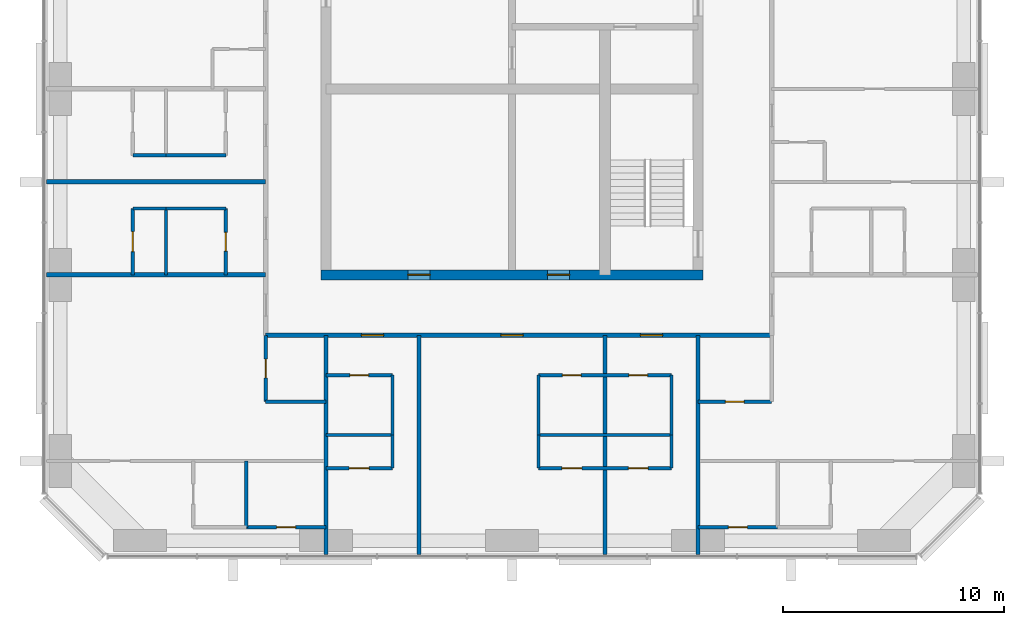
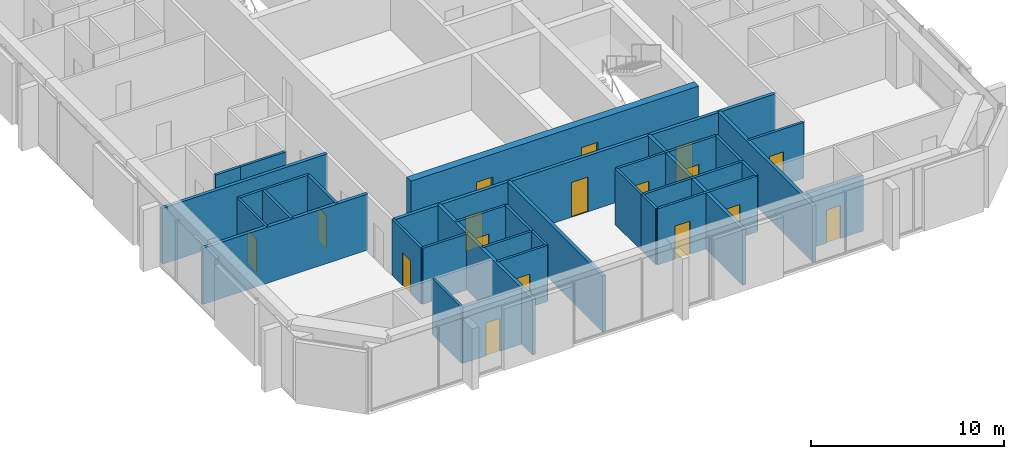
# One storey, part 7 of 12: 33 walls, 17 doors, 17 openings.
"""IFC4 building model written with IfcOpenShell, lengths in metres."""

from ifc_helpers import new_model, si_unit, direction, frame, frame_2d, origin, place, context, subcontext, project, spatial, rectangle, extrude, material, layer, layer_set, type_object, element, fill, save


model = new_model("IFC4")

# Units and contexts
model_context = context("Model", 3, precision=1e-05, world=origin(), true_north=direction((0.0, 1.0)))
body_context = subcontext(model_context, "Body", "Model", "MODEL_VIEW")
ifc_project = project(units=[si_unit("LENGTHUNIT", "METRE"), si_unit("AREAUNIT", "SQUARE_METRE"), si_unit("VOLUMEUNIT", "CUBIC_METRE"), si_unit("PLANEANGLEUNIT", "RADIAN"), si_unit("MASSUNIT", "GRAM", prefix="KILO")], contexts=[model_context])

# Site, building, storey
site_placement = place(None, origin())
site = spatial("IfcSite", under=ifc_project, at=site_placement, CompositionType="ELEMENT")
building_placement = place(site_placement, origin())
building = spatial("IfcBuilding", under=site, at=building_placement, Name="Dunama Terrace Hotel", CompositionType="ELEMENT")
storey_placement = place(building_placement, frame((0.0, 0.0, 268.5)))
storey = spatial("IfcBuildingStorey", under=building, at=storey_placement, Name="L69", CompositionType="ELEMENT", Elevation=268.5)

# Wall, opening, door
ifc_material_1 = material(Name="Gypsum board partition", Category="masonry")
ifc_layer_1 = layer(ifc_material_1, 0.14990234375)
ifc_layer_set_1 = layer_set([ifc_layer_1], Name="Bathroom partition 150")
wall_type_1 = type_object("IfcWallType", Name="Bathroom partition 150", PredefinedType="PARTITIONING", material=ifc_layer_set_1)
wall_1_placement = place(storey_placement, frame((20.675048828125, 16.800048828125, 0.0), z_axis=(0.0, 0.0, 1.0), x_axis=(0.0, 1.0, 0.0)))
wall_1 = element("IfcWall", 1, at=wall_1_placement, inside=storey, type_object=wall_type_1, Name="Bathroom partition 150 L69", PredefinedType="PARTITIONING", context=body_context, shape_type="SweptSolid", body=[
    extrude(rectangle(XDim=3.0, YDim=0.14990234375, at=frame_2d((1.5, 0.0))), origin(), (0.0, 0.0, 1.0), 3.550048828125),
])
opening_1_placement = place(wall_1_placement, frame((1.074951171875, 0.0, 0.0)))
opening_1 = element("IfcOpeningElement", 2, at=opening_1_placement, cuts=wall_1, Name="Opening L68-70-038", PredefinedType="OPENING", context=body_context, shape_type="SweptSolid", body=[
    extrude(rectangle(XDim=0.85009765625, YDim=2.10009765625, at=frame_2d((0.425048828125, 1.050048828125))), frame((0.0, 0.0849609375, 0.0), z_axis=(0.0, -1.0, 0.0), x_axis=(1.0, 0.0, 0.0)), (0.0, 0.0, 1.0), 0.169921875),
])
ifc_material_2 = material(Name="Timber door with steel frame", Category="steel")
door_type_1 = type_object("IfcDoorType", Name="Bathroom door 850", OperationType="SINGLE_SWING_LEFT", PredefinedType="DOOR", material=ifc_material_2)
door_1_placement = place(opening_1_placement, origin())
door_1 = element("IfcDoor", 3, at=door_1_placement, inside=storey, type_object=door_type_1, Name="Door to en-suite bathroom L68-70-038, type D2", OperationType="SINGLE_SWING_LEFT", OverallHeight=2.10009765625, OverallWidth=0.85009765625, PredefinedType="DOOR", context=body_context, shape_type="SweptSolid", body=[
    extrude(rectangle(XDim=0.85009765625, YDim=2.10009765625, at=frame_2d((0.425048828125, 1.050048828125))), frame((0.0, 0.02490234375, 0.0), z_axis=(0.0, -1.0, 0.0), x_axis=(1.0, 0.0, 0.0)), (0.0, 0.0, 1.0), 0.050048828125),
])
fill(opening_1, door_1)

wall_2_placement = place(storey_placement, frame((22.47509765625, 11.074951171875, 0.0), z_axis=(0.0, 0.0, 1.0), x_axis=(0.0, 1.0, 0.0)))
wall_2 = element("IfcWall", 4, at=wall_2_placement, inside=storey, type_object=wall_type_1, Name="Bathroom partition 150 L69", PredefinedType="PARTITIONING", context=body_context, shape_type="SweptSolid", body=[
    extrude(rectangle(XDim=3.0, YDim=0.14990234375, at=frame_2d((1.5, 0.0))), origin(), (0.0, 0.0, 1.0), 3.550048828125),
])
opening_2_placement = place(wall_2_placement, frame((1.074951171875, 0.0, 0.0)))
opening_2 = element("IfcOpeningElement", 5, at=opening_2_placement, cuts=wall_2, Name="Opening L68-70-053", PredefinedType="OPENING", context=body_context, shape_type="SweptSolid", body=[
    extrude(rectangle(XDim=0.85009765625, YDim=2.10009765625, at=frame_2d((0.425048828125, 1.050048828125))), frame((0.0, 0.0849609375, 0.0), z_axis=(0.0, -1.0, 0.0), x_axis=(1.0, 0.0, 0.0)), (0.0, 0.0, 1.0), 0.169921875),
])
door_2_placement = place(opening_2_placement, frame((0.85009765625, 0.0, 0.0), z_axis=(0.0, 0.0, 1.0), x_axis=(-1.0, 0.0, 0.0)))
door_2 = element("IfcDoor", 6, at=door_2_placement, inside=storey, type_object=door_type_1, Name="Door to powder room L68-70-053, type D2", OperationType="SINGLE_SWING_LEFT", OverallHeight=2.10009765625, OverallWidth=0.85009765625, PredefinedType="DOOR", context=body_context, shape_type="SweptSolid", body=[
    extrude(rectangle(XDim=0.85009765625, YDim=2.10009765625, at=frame_2d((0.425048828125, 1.050048828125))), frame((0.0, 0.025146484375, 0.0), z_axis=(0.0, -1.0, 0.0), x_axis=(1.0, 0.0, 0.0)), (0.0, 0.0, 1.0), 0.050048828125),
])
fill(opening_2, door_2)

# Walls
for number, where, z_axis, x_axis, name in (
    (7, (28.199951171875, 9.574951171875, 0.0), (0.0, 0.0, 1.0), (0.0, 1.0, 0.0), "Bathroom partition 150 L69"),
    (8, (34.800048828125, 9.574951171875, 0.0), (0.0, 0.0, 1.0), (0.0, 1.0, 0.0), "Bathroom partition 150 L69"),
    (9, (40.800048828125, 9.574951171875, 0.0), (0.0, 0.0, 1.0), (0.0, 1.0, 0.0), "Bathroom partition 150 L69"),
):
    element("IfcWall", number, at=place(storey_placement, frame(where, z_axis=z_axis, x_axis=x_axis)), inside=storey, type_object=wall_type_1, Name=name, PredefinedType="PARTITIONING", context=body_context, shape_type="SweptSolid", body=[
        extrude(rectangle(XDim=2.699951171875, YDim=0.14990234375, at=frame_2d((1.35009765625, 0.0))), origin(), (0.0, 0.0, 1.0), 3.550048828125),
    ])

# Wall, opening, door
wall_3_placement = place(storey_placement, frame((21.60009765625, 5.39990234375, 0.0), z_axis=(0.0, 0.0, 1.0), x_axis=(1.0, 0.0, 0.0)))
wall_3 = element("IfcWall", 10, at=wall_3_placement, inside=storey, type_object=wall_type_1, Name="Bathroom partition 150 L69", PredefinedType="PARTITIONING", context=body_context, shape_type="SweptSolid", body=[
    extrude(rectangle(XDim=3.599853515625, YDim=0.14990234375, at=frame_2d((1.7998046875, 0.0))), origin(), (0.0, 0.0, 1.0), 3.550048828125),
])
opening_3_placement = place(wall_3_placement, frame((1.375, 0.0, 0.0)))
opening_3 = element("IfcOpeningElement", 11, at=opening_3_placement, cuts=wall_3, Name="Opening L68-70-055", PredefinedType="OPENING", context=body_context, shape_type="SweptSolid", body=[
    extrude(rectangle(XDim=0.85009765625, YDim=2.10009765625, at=frame_2d((0.425048828125, 1.050048828125))), frame((0.0, 0.0849609375, 0.0), z_axis=(0.0, -1.0, 0.0), x_axis=(1.0, 0.0, 0.0)), (0.0, 0.0, 1.0), 0.169921875),
])
door_3_placement = place(opening_3_placement, origin())
door_3 = element("IfcDoor", 12, at=door_3_placement, inside=storey, type_object=door_type_1, Name="Door to en-suite bathroom L68-70-055, type D2", OperationType="SINGLE_SWING_RIGHT", OverallHeight=2.10009765625, OverallWidth=0.85009765625, PredefinedType="DOOR", context=body_context, shape_type="SweptSolid", body=[
    extrude(rectangle(XDim=0.85009765625, YDim=2.10009765625, at=frame_2d((0.425048828125, 1.050048828125))), frame((0.0, 0.02490234375, 0.0), z_axis=(0.0, -1.0, 0.0), x_axis=(1.0, 0.0, 0.0)), (0.0, 0.0, 1.0), 0.050048828125),
])
fill(opening_3, door_3)

wall_4_placement = place(storey_placement, frame((42.0, 5.39990234375, 0.0), z_axis=(0.0, 0.0, 1.0), x_axis=(1.0, 0.0, 0.0)))
wall_4 = element("IfcWall", 13, at=wall_4_placement, inside=storey, type_object=wall_type_1, Name="Bathroom partition 150 L69", PredefinedType="PARTITIONING", context=body_context, shape_type="SweptSolid", body=[
    extrude(rectangle(XDim=3.60009765625, YDim=0.14990234375, at=frame_2d((1.800048828125, 0.0))), origin(), (0.0, 0.0, 1.0), 3.550048828125),
])
opening_4_placement = place(wall_4_placement, frame((1.375, 0.0, 0.0)))
opening_4 = element("IfcOpeningElement", 14, at=opening_4_placement, cuts=wall_4, Name="Opening L68-70-060", PredefinedType="OPENING", context=body_context, shape_type="SweptSolid", body=[
    extrude(rectangle(XDim=0.85009765625, YDim=2.10009765625, at=frame_2d((0.425048828125, 1.050048828125))), frame((0.0, 0.0849609375, 0.0), z_axis=(0.0, -1.0, 0.0), x_axis=(1.0, 0.0, 0.0)), (0.0, 0.0, 1.0), 0.169921875),
])
door_4_placement = place(opening_4_placement, origin())
door_4 = element("IfcDoor", 15, at=door_4_placement, inside=storey, type_object=door_type_1, Name="Door to en-suite bathroom L68-70-060, type D2", OperationType="SINGLE_SWING_LEFT", OverallHeight=2.10009765625, OverallWidth=0.85009765625, PredefinedType="DOOR", context=body_context, shape_type="SweptSolid", body=[
    extrude(rectangle(XDim=0.85009765625, YDim=2.10009765625, at=frame_2d((0.425048828125, 1.050048828125))), frame((0.0, 0.02490234375, 0.0), z_axis=(0.0, -1.0, 0.0), x_axis=(1.0, 0.0, 0.0)), (0.0, 0.0, 1.0), 0.050048828125),
])
fill(opening_4, door_4)

# Wall
wall_5_placement = place(storey_placement, frame((22.47509765625, 11.074951171875, 0.0), z_axis=(0.0, 0.0, 1.0), x_axis=(1.0, 0.0, 0.0)))
element("IfcWall", 16, at=wall_5_placement, inside=storey, type_object=wall_type_1, Name="Bathroom partition 150 L69", PredefinedType="PARTITIONING", context=body_context, shape_type="SweptSolid", body=[
    extrude(rectangle(XDim=2.724853515625, YDim=0.14990234375, at=frame_2d((1.3623046875, 0.0))), origin(), (0.0, 0.0, 1.0), 3.550048828125),
])

# Wall, opening, door
wall_6_placement = place(storey_placement, frame((42.0, 11.074951171875, 0.0), z_axis=(0.0, 0.0, 1.0), x_axis=(1.0, 0.0, 0.0)))
wall_6 = element("IfcWall", 17, at=wall_6_placement, inside=storey, type_object=wall_type_1, Name="Bathroom partition 150 L69", PredefinedType="PARTITIONING", context=body_context, shape_type="SweptSolid", body=[
    extrude(rectangle(XDim=3.324951171875, YDim=0.14990234375, at=frame_2d((1.66259765625, 0.0))), origin(), (0.0, 0.0, 1.0), 3.550048828125),
])
opening_5_placement = place(wall_6_placement, frame((1.238037109375, 0.0, 0.0)))
opening_5 = element("IfcOpeningElement", 18, at=opening_5_placement, cuts=wall_6, Name="Opening L68-70-058", PredefinedType="OPENING", context=body_context, shape_type="SweptSolid", body=[
    extrude(rectangle(XDim=0.85009765625, YDim=2.10009765625, at=frame_2d((0.425048828125, 1.050048828125))), frame((0.0, 0.0849609375, 0.0), z_axis=(0.0, -1.0, 0.0), x_axis=(1.0, 0.0, 0.0)), (0.0, 0.0, 1.0), 0.169921875),
])
door_5_placement = place(opening_5_placement, origin())
door_5 = element("IfcDoor", 19, at=door_5_placement, inside=storey, type_object=door_type_1, Name="Door to powder room L68-70-058, type D2", OperationType="SINGLE_SWING_LEFT", OverallHeight=2.10009765625, OverallWidth=0.85009765625, PredefinedType="DOOR", context=body_context, shape_type="SweptSolid", body=[
    extrude(rectangle(XDim=0.85009765625, YDim=2.10009765625, at=frame_2d((0.425048828125, 1.050048828125))), frame((0.0, 0.02490234375, 0.0), z_axis=(0.0, -1.0, 0.0), x_axis=(1.0, 0.0, 0.0)), (0.0, 0.0, 1.0), 0.050048828125),
])
fill(opening_5, door_5)

wall_7_placement = place(storey_placement, frame((25.199951171875, 12.27490234375, 0.0), z_axis=(0.0, 0.0, 1.0), x_axis=(1.0, 0.0, 0.0)))
wall_7 = element("IfcWall", 20, at=wall_7_placement, inside=storey, type_object=wall_type_1, Name="Bathroom partition 150 L69", PredefinedType="PARTITIONING", context=body_context, shape_type="SweptSolid", body=[
    extrude(rectangle(XDim=3.0, YDim=0.14990234375, at=frame_2d((1.5, 0.0))), origin(), (0.0, 0.0, 1.0), 3.550048828125),
])
opening_6_placement = place(wall_7_placement, frame((1.074951171875, 0.0, 0.0)))
opening_6 = element("IfcOpeningElement", 21, at=opening_6_placement, cuts=wall_7, Name="Opening L68-70-008", PredefinedType="OPENING", context=body_context, shape_type="SweptSolid", body=[
    extrude(rectangle(XDim=0.85009765625, YDim=2.10009765625, at=frame_2d((0.425048828125, 1.050048828125))), frame((0.0, 0.0849609375, 0.0), z_axis=(0.0, -1.0, 0.0), x_axis=(1.0, 0.0, 0.0)), (0.0, 0.0, 1.0), 0.169921875),
])
door_6_placement = place(opening_6_placement, frame((0.85009765625, 0.0, 0.0), z_axis=(0.0, 0.0, 1.0), x_axis=(-1.0, 0.0, 0.0)))
door_6 = element("IfcDoor", 22, at=door_6_placement, inside=storey, type_object=door_type_1, Name="Door to en-suite bathroom L68-70-008, type D2", OperationType="SINGLE_SWING_RIGHT", OverallHeight=2.10009765625, OverallWidth=0.85009765625, PredefinedType="DOOR", context=body_context, shape_type="SweptSolid", body=[
    extrude(rectangle(XDim=0.85009765625, YDim=2.10009765625, at=frame_2d((0.425048828125, 1.050048828125))), frame((0.0, 0.025146484375, 0.0), z_axis=(0.0, -1.0, 0.0), x_axis=(1.0, 0.0, 0.0)), (0.0, 0.0, 1.0), 0.050048828125),
])
fill(opening_6, door_6)

# Wall, openings, doors
wall_8_placement = place(storey_placement, frame((34.800048828125, 12.27490234375, 0.0), z_axis=(0.0, 0.0, 1.0), x_axis=(1.0, 0.0, 0.0)))
wall_8 = element("IfcWall", 23, at=wall_8_placement, inside=storey, type_object=wall_type_1, Name="Bathroom partition 150 L69", PredefinedType="PARTITIONING", context=body_context, shape_type="SweptSolid", body=[
    extrude(rectangle(XDim=6.0, YDim=0.14990234375, at=frame_2d((3.0, 0.0))), origin(), (0.0, 0.0, 1.0), 3.550048828125),
])
opening_7_placement = place(wall_8_placement, frame((1.074951171875, 0.0, 0.0)))
opening_7 = element("IfcOpeningElement", 24, at=opening_7_placement, cuts=wall_8, Name="Opening L68-70-011", PredefinedType="OPENING", context=body_context, shape_type="SweptSolid", body=[
    extrude(rectangle(XDim=0.85009765625, YDim=2.10009765625, at=frame_2d((0.425048828125, 1.050048828125))), frame((0.0, 0.0849609375, 0.0), z_axis=(0.0, -1.0, 0.0), x_axis=(1.0, 0.0, 0.0)), (0.0, 0.0, 1.0), 0.169921875),
])
opening_8_placement = place(wall_8_placement, frame((4.074951171875, 0.0, 0.0)))
opening_8 = element("IfcOpeningElement", 25, at=opening_8_placement, cuts=wall_8, Name="Opening L68-70-014", PredefinedType="OPENING", context=body_context, shape_type="SweptSolid", body=[
    extrude(rectangle(XDim=0.85009765625, YDim=2.10009765625, at=frame_2d((0.425048828125, 1.050048828125))), frame((0.0, 0.0849609375, 0.0), z_axis=(0.0, -1.0, 0.0), x_axis=(1.0, 0.0, 0.0)), (0.0, 0.0, 1.0), 0.169921875),
])
door_7_placement = place(opening_7_placement, frame((0.85009765625, 0.0, 0.0), z_axis=(0.0, 0.0, 1.0), x_axis=(-1.0, 0.0, 0.0)))
door_7 = element("IfcDoor", 26, at=door_7_placement, inside=storey, type_object=door_type_1, Name="Door to en-suite bathroom L68-70-011, type D2", OperationType="SINGLE_SWING_LEFT", OverallHeight=2.10009765625, OverallWidth=0.85009765625, PredefinedType="DOOR", context=body_context, shape_type="SweptSolid", body=[
    extrude(rectangle(XDim=0.85009765625, YDim=2.10009765625, at=frame_2d((0.425048828125, 1.050048828125))), frame((0.0, 0.025146484375, 0.0), z_axis=(0.0, -1.0, 0.0), x_axis=(1.0, 0.0, 0.0)), (0.0, 0.0, 1.0), 0.050048828125),
])
fill(opening_7, door_7)
door_8_placement = place(opening_8_placement, frame((0.85009765625, 0.0, 0.0), z_axis=(0.0, 0.0, 1.0), x_axis=(-1.0, 0.0, 0.0)))
door_8 = element("IfcDoor", 27, at=door_8_placement, inside=storey, type_object=door_type_1, Name="Door to en-suite bathroom L68-70-014, type D2", OperationType="SINGLE_SWING_RIGHT", OverallHeight=2.10009765625, OverallWidth=0.85009765625, PredefinedType="DOOR", context=body_context, shape_type="SweptSolid", body=[
    extrude(rectangle(XDim=0.85009765625, YDim=2.10009765625, at=frame_2d((0.425048828125, 1.050048828125))), frame((0.0, 0.025146484375, 0.0), z_axis=(0.0, -1.0, 0.0), x_axis=(1.0, 0.0, 0.0)), (0.0, 0.0, 1.0), 0.050048828125),
])
fill(opening_8, door_8)

# Walls
for number, where, z_axis, x_axis, name in (
    (28, (17.97509765625, 19.800048828125, 0.0), (0.0, 0.0, 1.0), (1.0, 0.0, 0.0), "Bathroom partition 150 L69"),
    (29, (17.97509765625, 22.199951171875, 0.0), (0.0, 0.0, 1.0), (1.0, 0.0, 0.0), "Bathroom partition 150 L69"),
):
    element("IfcWall", number, at=place(storey_placement, frame(where, z_axis=z_axis, x_axis=x_axis)), inside=storey, type_object=wall_type_1, Name=name, PredefinedType="PARTITIONING", context=body_context, shape_type="SweptSolid", body=[
        extrude(rectangle(XDim=2.699951171875, YDim=0.14990234375, at=frame_2d((1.35009765625, 0.0))), origin(), (0.0, 0.0, 1.0), 3.550048828125),
    ])

# Wall, openings, doors
ifc_material_3 = material(Name="Concrete C50/60", Category="concrete")
ifc_layer_2 = layer(ifc_material_3, 0.449951171875)
ifc_layer_set_2 = layer_set([ifc_layer_2], Name="Core wall 450")
wall_type_2 = type_object("IfcWallType", Name="Core wall 450", PredefinedType="SHEAR", material=ifc_layer_set_2)
wall_9_placement = place(storey_placement, frame((24.97509765625, 16.800048828125, -0.35009765625), z_axis=(0.0, 0.0, 1.0), x_axis=(1.0, 0.0, 0.0)))
wall_9 = element("IfcWall", 30, at=wall_9_placement, inside=storey, type_object=wall_type_2, Name="Core wall south L69", PredefinedType="SHEAR", context=body_context, shape_type="SweptSolid", body=[
    extrude(rectangle(XDim=17.25, YDim=0.449951171875, at=frame_2d((8.625, 0.0))), origin(), (0.0, 0.0, 1.0), 3.900146484375),
])
opening_9_placement = place(wall_9_placement, frame((3.925048828125, 0.0, 0.35009765625)))
opening_9 = element("IfcOpeningElement", 31, at=opening_9_placement, cuts=wall_9, Name="Opening L68-70-078", PredefinedType="OPENING", context=body_context, shape_type="SweptSolid", body=[
    extrude(rectangle(XDim=1.0, YDim=2.10009765625, at=frame_2d((0.5, 1.050048828125))), frame((0.0, 0.23486328125, 0.0), z_axis=(0.0, -1.0, 0.0), x_axis=(1.0, 0.0, 0.0)), (0.0, 0.0, 1.0), 0.469970703125),
])
opening_10_placement = place(wall_9_placement, frame((10.22509765625, 0.0, 0.35009765625)))
opening_10 = element("IfcOpeningElement", 32, at=opening_10_placement, cuts=wall_9, Name="Opening L68-70-079", PredefinedType="OPENING", context=body_context, shape_type="SweptSolid", body=[
    extrude(rectangle(XDim=1.0, YDim=2.10009765625, at=frame_2d((0.5, 1.050048828125))), frame((0.0, 0.23486328125, 0.0), z_axis=(0.0, -1.0, 0.0), x_axis=(1.0, 0.0, 0.0)), (0.0, 0.0, 1.0), 0.469970703125),
])
ifc_material_4 = material(Name="Timber door with steel frame", Category="steel")
door_type_2 = type_object("IfcDoorType", Name="Service door 1000", OperationType="SINGLE_SWING_LEFT", PredefinedType="DOOR", material=ifc_material_4)
door_9_placement = place(opening_9_placement, origin())
door_9 = element("IfcDoor", 33, at=door_9_placement, inside=storey, type_object=door_type_2, Name="Door to corridor air handling room L68-70-078, type D7", OperationType="SINGLE_SWING_LEFT", OverallHeight=2.10009765625, OverallWidth=1.0, PredefinedType="DOOR", context=body_context, shape_type="SweptSolid", body=[
    extrude(rectangle(XDim=1.0, YDim=2.10009765625, at=frame_2d((0.5, 1.050048828125))), frame((0.0, 0.02490234375, 0.0), z_axis=(0.0, -1.0, 0.0), x_axis=(1.0, 0.0, 0.0)), (0.0, 0.0, 1.0), 0.050048828125),
])
fill(opening_9, door_9)
door_10_placement = place(opening_10_placement, origin())
door_10 = element("IfcDoor", 34, at=door_10_placement, inside=storey, type_object=door_type_2, Name="Door to water riser room L68-70-079, type D7", OperationType="SINGLE_SWING_RIGHT", OverallHeight=2.10009765625, OverallWidth=1.0, PredefinedType="DOOR", context=body_context, shape_type="SweptSolid", body=[
    extrude(rectangle(XDim=1.0, YDim=2.10009765625, at=frame_2d((0.5, 1.050048828125))), frame((0.0, 0.02490234375, 0.0), z_axis=(0.0, -1.0, 0.0), x_axis=(1.0, 0.0, 0.0)), (0.0, 0.0, 1.0), 0.050048828125),
])
fill(opening_10, door_10)

ifc_material_5 = material(Name="Concrete blockwork", Category="masonry")
ifc_layer_3 = layer(ifc_material_5, 0.199951171875)
ifc_layer_set_3 = layer_set([ifc_layer_3], Name="Corridor partition 200")
wall_type_3 = type_object("IfcWallType", Name="Corridor partition 200", PredefinedType="PARTITIONING", material=ifc_layer_set_3)
wall_10_placement = place(storey_placement, frame((45.324951171875, 14.074951171875, 0.0), z_axis=(0.0, 0.0, 1.0), x_axis=(-1.0, 0.0, 0.0)))
wall_10 = element("IfcWall", 35, at=wall_10_placement, inside=storey, type_object=wall_type_3, Name="Corridor partition 200 L69", PredefinedType="PARTITIONING", context=body_context, shape_type="SweptSolid", body=[
    extrude(rectangle(XDim=22.849853515625, YDim=0.199951171875, at=frame_2d((11.4248046875, 0.0))), origin(), (0.0, 0.0, 1.0), 3.550048828125),
])
opening_11_placement = place(wall_10_placement, frame((17.52490234375, 0.0, 0.0)))
opening_11 = element("IfcOpeningElement", 36, at=opening_11_placement, cuts=wall_10, Name="Opening L68-70-007", PredefinedType="OPENING", context=body_context, shape_type="SweptSolid", body=[
    extrude(rectangle(XDim=1.0, YDim=2.199951171875, at=frame_2d((0.5, 1.10009765625))), frame((0.0, 0.10986328125, 0.0), z_axis=(0.0, -1.0, 0.0), x_axis=(1.0, 0.0, 0.0)), (0.0, 0.0, 1.0), 0.219970703125),
])
opening_12_placement = place(wall_10_placement, frame((11.22509765625, 0.0, 0.0)))
opening_12 = element("IfcOpeningElement", 37, at=opening_12_placement, cuts=wall_10, Name="Opening L68-70-010", PredefinedType="OPENING", context=body_context, shape_type="SweptSolid", body=[
    extrude(rectangle(XDim=1.0, YDim=2.199951171875, at=frame_2d((0.5, 1.10009765625))), frame((0.0, 0.10986328125, 0.0), z_axis=(0.0, -1.0, 0.0), x_axis=(1.0, 0.0, 0.0)), (0.0, 0.0, 1.0), 0.219970703125),
])
opening_13_placement = place(wall_10_placement, frame((4.925048828125, 0.0, 0.0)))
opening_13 = element("IfcOpeningElement", 38, at=opening_13_placement, cuts=wall_10, Name="Opening L68-70-013", PredefinedType="OPENING", context=body_context, shape_type="SweptSolid", body=[
    extrude(rectangle(XDim=1.0, YDim=2.199951171875, at=frame_2d((0.5, 1.10009765625))), frame((0.0, 0.10986328125, 0.0), z_axis=(0.0, -1.0, 0.0), x_axis=(1.0, 0.0, 0.0)), (0.0, 0.0, 1.0), 0.219970703125),
])
ifc_material_6 = material(Name="Timber door with steel frame", Category="steel")
door_type_3 = type_object("IfcDoorType", Name="Guest room door 1000", OperationType="SINGLE_SWING_LEFT", PredefinedType="DOOR", material=ifc_material_6)
door_11_placement = place(opening_11_placement, origin())
door_11 = element("IfcDoor", 39, at=door_11_placement, inside=storey, type_object=door_type_3, Name="Door to studio suite L68-70-007, type D1", OperationType="SINGLE_SWING_LEFT", OverallHeight=2.199951171875, OverallWidth=1.0, PredefinedType="DOOR", context=body_context, shape_type="SweptSolid", body=[
    extrude(rectangle(XDim=1.0, YDim=2.199951171875, at=frame_2d((0.5, 1.10009765625))), frame((0.0, 0.02490234375, 0.0), z_axis=(0.0, -1.0, 0.0), x_axis=(1.0, 0.0, 0.0)), (0.0, 0.0, 1.0), 0.050048828125),
])
fill(opening_11, door_11)
door_12_placement = place(opening_12_placement, origin())
door_12 = element("IfcDoor", 40, at=door_12_placement, inside=storey, type_object=door_type_3, Name="Door to junior suite L68-70-010, type D1", OperationType="SINGLE_SWING_LEFT", OverallHeight=2.199951171875, OverallWidth=1.0, PredefinedType="DOOR", context=body_context, shape_type="SweptSolid", body=[
    extrude(rectangle(XDim=1.0, YDim=2.199951171875, at=frame_2d((0.5, 1.10009765625))), frame((0.0, 0.02490234375, 0.0), z_axis=(0.0, -1.0, 0.0), x_axis=(1.0, 0.0, 0.0)), (0.0, 0.0, 1.0), 0.050048828125),
])
fill(opening_12, door_12)
door_13_placement = place(opening_13_placement, origin())
door_13 = element("IfcDoor", 41, at=door_13_placement, inside=storey, type_object=door_type_3, Name="Door to studio suite L68-70-013, type D1", OperationType="SINGLE_SWING_LEFT", OverallHeight=2.199951171875, OverallWidth=1.0, PredefinedType="DOOR", context=body_context, shape_type="SweptSolid", body=[
    extrude(rectangle(XDim=1.0, YDim=2.199951171875, at=frame_2d((0.5, 1.10009765625))), frame((0.0, 0.02490234375, 0.0), z_axis=(0.0, -1.0, 0.0), x_axis=(1.0, 0.0, 0.0)), (0.0, 0.0, 1.0), 0.050048828125),
])
fill(opening_13, door_13)

# Walls
ifc_material_7 = material(Name="Concrete blockwork", Category="masonry")
ifc_layer_4 = layer(ifc_material_7, 0.199951171875)
ifc_layer_set_4 = layer_set([ifc_layer_4], Name="Party wall 200")
wall_type_4 = type_object("IfcWallType", Name="Party wall 200", PredefinedType="PARTITIONING", material=ifc_layer_set_4)
for number, where, z_axis, x_axis, name in (
    (42, (25.199951171875, 4.181884765625, 0.0), (0.0, 0.0, 1.0), (0.0, 1.0, 0.0), "Party wall 200 L69"),
    (43, (29.39990234375, 4.181884765625, 0.0), (0.0, 0.0, 1.0), (0.0, 1.0, 0.0), "Party wall 200 L69"),
    (44, (37.800048828125, 4.181884765625, 0.0), (0.0, 0.0, 1.0), (0.0, 1.0, 0.0), "Party wall 200 L69"),
    (45, (42.0, 4.181884765625, 0.0), (0.0, 0.0, 1.0), (0.0, 1.0, 0.0), "Party wall 200 L69"),
    (46, (12.58203125, 16.800048828125, 0.0), (0.0, 0.0, 1.0), (1.0, 0.0, 0.0), "Party wall 200 L69"),
    (47, (12.58203125, 21.0, 0.0), (0.0, 0.0, 1.0), (1.0, 0.0, 0.0), "Party wall 200 L69"),
):
    element("IfcWall", number, at=place(storey_placement, frame(where, z_axis=z_axis, x_axis=x_axis)), inside=storey, type_object=wall_type_4, Name=name, PredefinedType="PARTITIONING", context=body_context, shape_type="SweptSolid", body=[
        extrude(rectangle(XDim=9.89306640625, YDim=0.199951171875, at=frame_2d((4.946533203125, 0.0))), origin(), (0.0, 0.0, 1.0), 3.550048828125),
    ])

# Wall, opening, door
ifc_material_8 = material(Name="Gypsum board partition", Category="masonry")
ifc_layer_5 = layer(ifc_material_8, 0.14990234375)
ifc_layer_set_5 = layer_set([ifc_layer_5], Name="Room partition 150")
wall_type_5 = type_object("IfcWallType", Name="Room partition 150", PredefinedType="PARTITIONING", material=ifc_layer_set_5)
wall_11_placement = place(storey_placement, frame((16.47509765625, 16.800048828125, 0.0), z_axis=(0.0, 0.0, 1.0), x_axis=(0.0, 1.0, 0.0)))
wall_11 = element("IfcWall", 48, at=wall_11_placement, inside=storey, type_object=wall_type_5, Name="Room partition 150 L69", PredefinedType="PARTITIONING", context=body_context, shape_type="SweptSolid", body=[
    extrude(rectangle(XDim=3.0, YDim=0.14990234375, at=frame_2d((1.5, 0.0))), origin(), (0.0, 0.0, 1.0), 3.550048828125),
])
opening_14_placement = place(wall_11_placement, frame((1.050048828125, 0.0, 0.0)))
opening_14 = element("IfcOpeningElement", 49, at=opening_14_placement, cuts=wall_11, Name="Opening L68-70-039", PredefinedType="OPENING", context=body_context, shape_type="SweptSolid", body=[
    extrude(rectangle(XDim=0.89990234375, YDim=2.10009765625, at=frame_2d((0.449951171875, 1.050048828125))), frame((0.0, 0.0849609375, 0.0), z_axis=(0.0, -1.0, 0.0), x_axis=(1.0, 0.0, 0.0)), (0.0, 0.0, 1.0), 0.169921875),
])
ifc_material_9 = material(Name="Timber door with steel frame", Category="steel")
door_type_4 = type_object("IfcDoorType", Name="Suite internal door 900", OperationType="SINGLE_SWING_LEFT", PredefinedType="DOOR", material=ifc_material_9)
door_14_placement = place(opening_14_placement, frame((0.89990234375, 0.0, 0.0), z_axis=(0.0, 0.0, 1.0), x_axis=(-1.0, 0.0, 0.0)))
door_14 = element("IfcDoor", 50, at=door_14_placement, inside=storey, type_object=door_type_4, Name="Door to walk-in wardrobe L68-70-039, type D16", OperationType="SINGLE_SWING_RIGHT", OverallHeight=2.10009765625, OverallWidth=0.89990234375, PredefinedType="DOOR", context=body_context, shape_type="SweptSolid", body=[
    extrude(rectangle(XDim=0.89990234375, YDim=2.10009765625, at=frame_2d((0.449951171875, 1.050048828125))), frame((0.0, 0.025146484375, 0.0), z_axis=(0.0, -1.0, 0.0), x_axis=(1.0, 0.0, 0.0)), (0.0, 0.0, 1.0), 0.050048828125),
])
fill(opening_14, door_14)

# Walls
for number, where, z_axis, x_axis, name in (
    (51, (17.97509765625, 16.800048828125, 0.0), (0.0, 0.0, 1.0), (0.0, 1.0, 0.0), "Room partition 150 L69"),
    (52, (21.60009765625, 5.39990234375, 0.0), (0.0, 0.0, 1.0), (0.0, 1.0, 0.0), "Room partition 150 L69"),
):
    element("IfcWall", number, at=place(storey_placement, frame(where, z_axis=z_axis, x_axis=x_axis)), inside=storey, type_object=wall_type_5, Name=name, PredefinedType="PARTITIONING", context=body_context, shape_type="SweptSolid", body=[
        extrude(rectangle(XDim=3.0, YDim=0.14990234375, at=frame_2d((1.5, 0.0))), origin(), (0.0, 0.0, 1.0), 3.550048828125),
    ])
for number, where, z_axis, x_axis, name in (
    (53, (28.199951171875, 8.074951171875, 0.0), (0.0, 0.0, 1.0), (0.0, 1.0, 0.0), "Room partition 150 L69"),
    (54, (34.800048828125, 8.074951171875, 0.0), (0.0, 0.0, 1.0), (0.0, 1.0, 0.0), "Room partition 150 L69"),
    (55, (40.800048828125, 8.074951171875, 0.0), (0.0, 0.0, 1.0), (0.0, 1.0, 0.0), "Room partition 150 L69"),
):
    element("IfcWall", number, at=place(storey_placement, frame(where, z_axis=z_axis, x_axis=x_axis)), inside=storey, type_object=wall_type_5, Name=name, PredefinedType="PARTITIONING", context=body_context, shape_type="SweptSolid", body=[
        extrude(rectangle(XDim=1.5, YDim=0.14990234375, at=frame_2d((0.75, 0.0))), origin(), (0.0, 0.0, 1.0), 3.550048828125),
    ])

# Wall, opening, door
wall_12_placement = place(storey_placement, frame((25.199951171875, 8.074951171875, 0.0), z_axis=(0.0, 0.0, 1.0), x_axis=(1.0, 0.0, 0.0)))
wall_12 = element("IfcWall", 56, at=wall_12_placement, inside=storey, type_object=wall_type_5, Name="Room partition 150 L69", PredefinedType="PARTITIONING", context=body_context, shape_type="SweptSolid", body=[
    extrude(rectangle(XDim=3.0, YDim=0.14990234375, at=frame_2d((1.5, 0.0))), origin(), (0.0, 0.0, 1.0), 3.550048828125),
])
opening_15_placement = place(wall_12_placement, frame((1.050048828125, 0.0, 0.0)))
opening_15 = element("IfcOpeningElement", 57, at=opening_15_placement, cuts=wall_12, Name="Opening L68-70-009", PredefinedType="OPENING", context=body_context, shape_type="SweptSolid", body=[
    extrude(rectangle(XDim=0.89990234375, YDim=2.10009765625, at=frame_2d((0.449951171875, 1.050048828125))), frame((0.0, 0.0849609375, 0.0), z_axis=(0.0, -1.0, 0.0), x_axis=(1.0, 0.0, 0.0)), (0.0, 0.0, 1.0), 0.169921875),
])
door_15_placement = place(opening_15_placement, origin())
door_15 = element("IfcDoor", 58, at=door_15_placement, inside=storey, type_object=door_type_4, Name="Door to walk-in wardrobe L68-70-009, type D16", OperationType="SINGLE_SWING_LEFT", OverallHeight=2.10009765625, OverallWidth=0.89990234375, PredefinedType="DOOR", context=body_context, shape_type="SweptSolid", body=[
    extrude(rectangle(XDim=0.89990234375, YDim=2.10009765625, at=frame_2d((0.449951171875, 1.050048828125))), frame((0.0, 0.02490234375, 0.0), z_axis=(0.0, -1.0, 0.0), x_axis=(1.0, 0.0, 0.0)), (0.0, 0.0, 1.0), 0.050048828125),
])
fill(opening_15, door_15)

# Wall, openings, doors
wall_13_placement = place(storey_placement, frame((34.800048828125, 8.074951171875, 0.0), z_axis=(0.0, 0.0, 1.0), x_axis=(1.0, 0.0, 0.0)))
wall_13 = element("IfcWall", 59, at=wall_13_placement, inside=storey, type_object=wall_type_5, Name="Room partition 150 L69", PredefinedType="PARTITIONING", context=body_context, shape_type="SweptSolid", body=[
    extrude(rectangle(XDim=6.0, YDim=0.14990234375, at=frame_2d((3.0, 0.0))), origin(), (0.0, 0.0, 1.0), 3.550048828125),
])
opening_16_placement = place(wall_13_placement, frame((1.050048828125, 0.0, 0.0)))
opening_16 = element("IfcOpeningElement", 60, at=opening_16_placement, cuts=wall_13, Name="Opening L68-70-012", PredefinedType="OPENING", context=body_context, shape_type="SweptSolid", body=[
    extrude(rectangle(XDim=0.89990234375, YDim=2.10009765625, at=frame_2d((0.449951171875, 1.050048828125))), frame((0.0, 0.0849609375, 0.0), z_axis=(0.0, -1.0, 0.0), x_axis=(1.0, 0.0, 0.0)), (0.0, 0.0, 1.0), 0.169921875),
])
opening_17_placement = place(wall_13_placement, frame((4.050048828125, 0.0, 0.0)))
opening_17 = element("IfcOpeningElement", 61, at=opening_17_placement, cuts=wall_13, Name="Opening L68-70-015", PredefinedType="OPENING", context=body_context, shape_type="SweptSolid", body=[
    extrude(rectangle(XDim=0.89990234375, YDim=2.10009765625, at=frame_2d((0.449951171875, 1.050048828125))), frame((0.0, 0.0849609375, 0.0), z_axis=(0.0, -1.0, 0.0), x_axis=(1.0, 0.0, 0.0)), (0.0, 0.0, 1.0), 0.169921875),
])
door_16_placement = place(opening_16_placement, origin())
door_16 = element("IfcDoor", 62, at=door_16_placement, inside=storey, type_object=door_type_4, Name="Door to walk-in wardrobe L68-70-012, type D16", OperationType="SINGLE_SWING_LEFT", OverallHeight=2.10009765625, OverallWidth=0.89990234375, PredefinedType="DOOR", context=body_context, shape_type="SweptSolid", body=[
    extrude(rectangle(XDim=0.89990234375, YDim=2.10009765625, at=frame_2d((0.449951171875, 1.050048828125))), frame((0.0, 0.02490234375, 0.0), z_axis=(0.0, -1.0, 0.0), x_axis=(1.0, 0.0, 0.0)), (0.0, 0.0, 1.0), 0.050048828125),
])
fill(opening_16, door_16)
door_17_placement = place(opening_17_placement, origin())
door_17 = element("IfcDoor", 63, at=door_17_placement, inside=storey, type_object=door_type_4, Name="Door to walk-in wardrobe L68-70-015, type D16", OperationType="SINGLE_SWING_LEFT", OverallHeight=2.10009765625, OverallWidth=0.89990234375, PredefinedType="DOOR", context=body_context, shape_type="SweptSolid", body=[
    extrude(rectangle(XDim=0.89990234375, YDim=2.10009765625, at=frame_2d((0.449951171875, 1.050048828125))), frame((0.0, 0.02490234375, 0.0), z_axis=(0.0, -1.0, 0.0), x_axis=(1.0, 0.0, 0.0)), (0.0, 0.0, 1.0), 0.050048828125),
])
fill(opening_17, door_17)

# Walls
wall_14_placement = place(storey_placement, frame((25.199951171875, 9.574951171875, 0.0), z_axis=(0.0, 0.0, 1.0), x_axis=(1.0, 0.0, 0.0)))
element("IfcWall", 64, at=wall_14_placement, inside=storey, type_object=wall_type_5, Name="Room partition 150 L69", PredefinedType="PARTITIONING", context=body_context, shape_type="SweptSolid", body=[
    extrude(rectangle(XDim=3.0, YDim=0.14990234375, at=frame_2d((1.5, 0.0))), origin(), (0.0, 0.0, 1.0), 3.550048828125),
])
wall_15_placement = place(storey_placement, frame((34.800048828125, 9.574951171875, 0.0), z_axis=(0.0, 0.0, 1.0), x_axis=(1.0, 0.0, 0.0)))
element("IfcWall", 65, at=wall_15_placement, inside=storey, type_object=wall_type_5, Name="Room partition 150 L69", PredefinedType="PARTITIONING", context=body_context, shape_type="SweptSolid", body=[
    extrude(rectangle(XDim=6.0, YDim=0.14990234375, at=frame_2d((3.0, 0.0))), origin(), (0.0, 0.0, 1.0), 3.550048828125),
])
for number, where, z_axis, x_axis, name in (
    (66, (16.47509765625, 19.800048828125, 0.0), (0.0, 0.0, 1.0), (1.0, 0.0, 0.0), "Room partition 150 L69"),
    (67, (16.47509765625, 22.199951171875, 0.0), (0.0, 0.0, 1.0), (1.0, 0.0, 0.0), "Room partition 150 L69"),
):
    element("IfcWall", number, at=place(storey_placement, frame(where, z_axis=z_axis, x_axis=x_axis)), inside=storey, type_object=wall_type_5, Name=name, PredefinedType="PARTITIONING", context=body_context, shape_type="SweptSolid", body=[
        extrude(rectangle(XDim=1.5, YDim=0.14990234375, at=frame_2d((0.75, 0.0))), origin(), (0.0, 0.0, 1.0), 3.550048828125),
    ])

save(model, "model.ifc")
